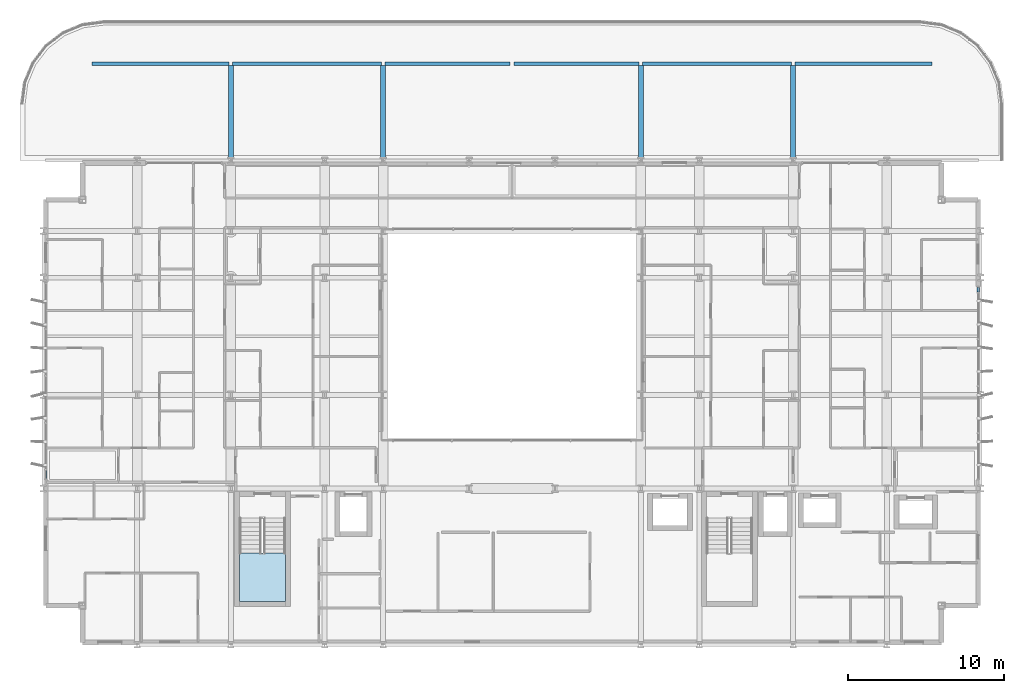
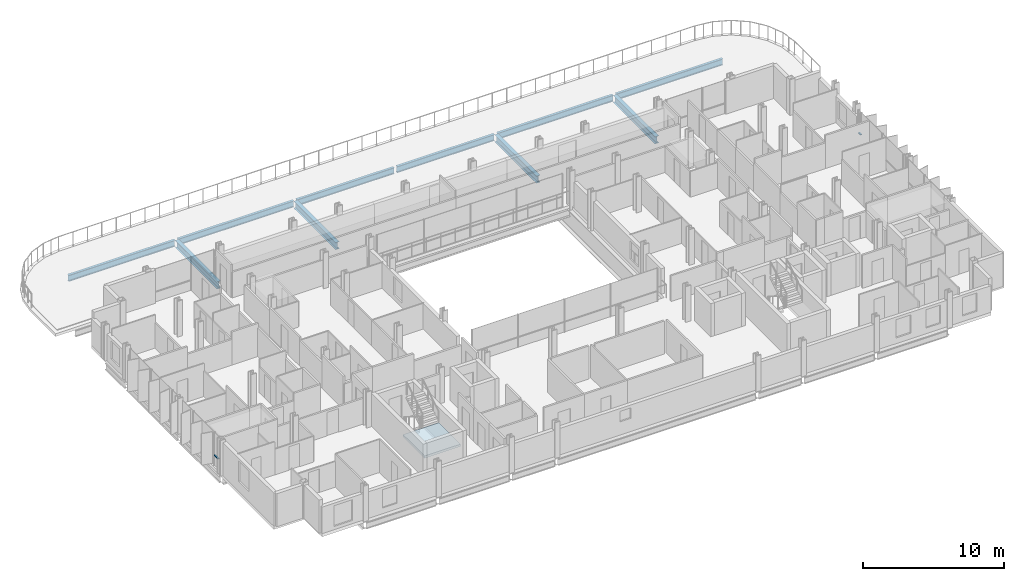
# One storey, part 21 of 38: 10 beams, 2 members, 1 slab, 3 elements without a shape of their own.
"""IFC4 building model written with IfcOpenShell, lengths in metres."""

import ifcopenshell
import ifcopenshell.guid

model = None  # the IFC model being written
_history = None  # IfcOwnerHistory: only IFC2X3 demands one
_inside = {}  # id of a spatial element -> (the spatial element, [elements in it])
_under = {}  # id of a project, library or spatial element -> (it, [spatial elements below it])
_declared = {}  # id of a project -> (the project, [libraries it declares])
_typed = {}  # id of a type object -> (the type object, [elements of that type])
_made_of = {}  # id of a material, layer set ... -> (it, [elements and type objects made of it])


def new_model(schema):
    """Start an empty IFC model of exactly this schema.

    Asked for "IFC4X3", IfcOpenShell would pick the latest addendum, in which some entities
    have other attributes; the version numbers below select the first issue.
    IFC2X3 requires an IfcOwnerHistory on every rooted entity: one is made here for all.
    """
    global model, _history
    if schema == "IFC4X3":
        model = ifcopenshell.file(schema_version=(4, 3, 0, 0))
    else:
        model = ifcopenshell.file(schema=schema)
    _inside.clear()
    _under.clear()
    _declared.clear()
    _typed.clear()
    _made_of.clear()
    _history = None
    if model.schema == "IFC2X3":
        org = make("IfcOrganization", Name="unknown")
        user = make(
            "IfcPersonAndOrganization",
            ThePerson=make("IfcPerson", FamilyName="unknown"),
            TheOrganization=org,
        )
        app = make(
            "IfcApplication",
            ApplicationDeveloper=org,
            Version="unknown",
            ApplicationFullName="unknown",
            ApplicationIdentifier="unknown",
        )
        _history = make(
            "IfcOwnerHistory",
            OwningUser=user,
            OwningApplication=app,
            ChangeAction="ADDED",
            CreationDate=0,
        )
    return model


def make(cls, **values):
    """One entity of the class cls with the attributes given. An attribute that is None is left unset."""
    return model.create_entity(
        cls, **{name: value for name, value in values.items() if value is not None}
    )


def rooted(cls, **values):
    """An entity with a GlobalId (a new one), such as an element, a storey or a relation."""
    return make(cls, GlobalId=ifcopenshell.guid.new(), OwnerHistory=_history, **values)


def si_unit(unit_type, name, prefix=None):
    """IfcSIUnit, for example si_unit("LENGTHUNIT", "METRE", prefix="MILLI")."""
    return make("IfcSIUnit", UnitType=unit_type, Prefix=prefix, Name=name)


def assignment(units):
    """IfcUnitAssignment: the units of a project."""
    return None if units is None else make("IfcUnitAssignment", Units=units)


def point(xyz):
    """IfcCartesianPoint."""
    return None if xyz is None else make("IfcCartesianPoint", Coordinates=xyz)


def direction(xyz):
    """IfcDirection."""
    return None if xyz is None else make("IfcDirection", DirectionRatios=xyz)


def frame(location, z_axis=None, x_axis=None):
    """IfcAxis2Placement3D, a coordinate frame: its origin and axes. An axis left out is left unset."""
    return make(
        "IfcAxis2Placement3D",
        Location=point(location),
        Axis=direction(z_axis),
        RefDirection=direction(x_axis),
    )


def frame_2d(location, x_axis=None):
    """IfcAxis2Placement2D, a coordinate frame in the plane: its origin and x axis."""
    return make(
        "IfcAxis2Placement2D", Location=point(location), RefDirection=direction(x_axis)
    )


def origin():
    """The frame at (0, 0, 0) with its axes left unset."""
    return frame((0.0, 0.0, 0.0))


def origin_2d():
    """The frame at (0, 0) in the plane with its x axis left unset."""
    return frame_2d((0.0, 0.0))


def place(relative_to, where):
    """IfcLocalPlacement: puts the frame where relative to a parent placement (None: the world)."""
    return make(
        "IfcLocalPlacement", PlacementRelTo=relative_to, RelativePlacement=where
    )


def context(
    kind, dimensions, precision=None, world=None, true_north=None, identifier=None
):
    """IfcGeometricRepresentationContext, for example the 3D "Model" context."""
    return make(
        "IfcGeometricRepresentationContext",
        ContextIdentifier=identifier,
        ContextType=kind,
        CoordinateSpaceDimension=dimensions,
        Precision=precision,
        WorldCoordinateSystem=world,
        TrueNorth=true_north,
    )


def subcontext(parent, identifier, kind, view, scale=None):
    """IfcGeometricRepresentationSubContext, for example "Body" below "Model"."""
    return make(
        "IfcGeometricRepresentationSubContext",
        ContextIdentifier=identifier,
        ContextType=kind,
        ParentContext=parent,
        TargetScale=scale,
        TargetView=view,
    )


def project(units=None, contexts=None):
    """IfcProject with its units and contexts."""
    return rooted(
        "IfcProject",
        Name="project",
        RepresentationContexts=contexts,
        UnitsInContext=assignment(units),
    )


def spatial(cls, under=None, at=None, **own):
    """A site, building, storey or space (cls), placed at a placement, below another one or the project."""
    s = rooted(cls, ObjectPlacement=at, **own)
    if under is not None:
        _under.setdefault(under.id(), (under, []))[1].append(s)
    return s


def polyline(points):
    """IfcPolyline through the points."""
    return make("IfcPolyline", Points=[point(p) for p in points])


def profile(cls, at=None, kind="AREA", **sizes):
    """A parametric profile (cls). Its sizes go by their IFC names, for example OverallWidth=200.0."""
    return make(cls, ProfileType=kind, Position=at, **sizes)


def hollow_rectangle(**sizes):
    """IfcRectangleHollowProfileDef."""
    return profile("IfcRectangleHollowProfileDef", **sizes)


def i_section(**sizes):
    """IfcIShapeProfileDef."""
    return profile("IfcIShapeProfileDef", **sizes)


def outline(outer, holes=None, kind="AREA"):
    """IfcArbitraryClosedProfileDef: a profile drawn as a closed curve; with holes, ...WithVoids."""
    if holes is None:
        return make("IfcArbitraryClosedProfileDef", ProfileType=kind, OuterCurve=outer)
    return make(
        "IfcArbitraryProfileDefWithVoids",
        ProfileType=kind,
        OuterCurve=outer,
        InnerCurves=holes,
    )


def extrude(swept, where, along, depth):
    """IfcExtrudedAreaSolid: the profile swept, set in the frame where, extruded along a direction by depth."""
    return make(
        "IfcExtrudedAreaSolid",
        SweptArea=swept,
        Position=where,
        ExtrudedDirection=direction(along),
        Depth=depth,
    )


def shape(context_of_items, identifier, shape_type, items):
    """IfcShapeRepresentation: the items that make up one representation, for example the "Body"."""
    return make(
        "IfcShapeRepresentation",
        ContextOfItems=context_of_items,
        RepresentationIdentifier=identifier,
        RepresentationType=shape_type,
        Items=items,
    )


def material(Name=None, Category=None):
    """IfcMaterial."""
    return make("IfcMaterial", Name=Name, Category=Category)


def layer(
    of_material, thickness, ventilated=None, Name=None, Category=None, Priority=None
):
    """IfcMaterialLayer: one layer of a wall or slab, of a material (None: an air gap)."""
    return make(
        "IfcMaterialLayer",
        Material=of_material,
        LayerThickness=thickness,
        IsVentilated=ventilated,
        Name=Name,
        Category=Category,
        Priority=Priority,
    )


def layer_set(layers, Name=None):
    """IfcMaterialLayerSet."""
    return make("IfcMaterialLayerSet", MaterialLayers=layers, LayerSetName=Name)


def material_profile(
    of_material, cross_section, Name=None, Category=None, Priority=None
):
    """IfcMaterialProfile: a cross section and its material."""
    return make(
        "IfcMaterialProfile",
        Name=Name,
        Material=of_material,
        Profile=cross_section,
        Priority=Priority,
        Category=Category,
    )


def profile_set(profiles, Name=None, composite=None):
    """IfcMaterialProfileSet."""
    return make(
        "IfcMaterialProfileSet",
        Name=Name,
        MaterialProfiles=profiles,
        CompositeProfile=composite,
    )


def made_of(thing, what):
    """Note that an element or type object is made of a material, layer set ...; save() writes the relation."""
    if what is not None:
        _made_of.setdefault(what.id(), (what, []))[1].append(thing)
    return thing


def type_object(cls, material=None, **own):
    """A type object (cls), such as IfcWallType, which elements share."""
    return made_of(rooted(cls, **own), material)


def element(
    cls,
    number,
    at=None,
    inside=None,
    cuts=None,
    type_object=None,
    material=None,
    context=None,
    identifier="Body",
    shape_type=None,
    held_by="IfcProductDefinitionShape",
    body=None,
    shapes=None,
    **own,
):
    """One element of the class cls, such as IfcWall. Its Tag is "e" and its number.

    at: its placement. inside: the storey or other place that contains it. cuts: it is an
    opening in that element (IfcRelVoidsElement). A single representation is given by context,
    identifier, shape_type and body (its items); several are given by shapes. held_by: the class
    of the entity that holds the representations. save() writes the other relations.
    """
    e = rooted(cls, Tag="e%d" % number, ObjectPlacement=at, **own)
    if body is not None:
        shapes = [shape(context, identifier, shape_type, body)]
    if shapes is not None:
        e.Representation = make(held_by, Representations=shapes)
    if inside is not None:
        _inside.setdefault(inside.id(), (inside, []))[1].append(e)
    if cuts is not None:
        rooted(
            "IfcRelVoidsElement", RelatingBuildingElement=cuts, RelatedOpeningElement=e
        )
    if type_object is not None:
        _typed.setdefault(type_object.id(), (type_object, []))[1].append(e)
    return made_of(e, material)


def aggregate(whole, parts):
    """IfcRelAggregates: a whole, such as a stair, and the parts it consists of."""
    return rooted("IfcRelAggregates", RelatingObject=whole, RelatedObjects=parts)


def save(model, path):
    """Write the relations noted so far, then the file.

    IfcRelAggregates (storeys below a building ...), IfcRelContainedInSpatialStructure (elements
    in a storey), IfcRelDefinesByType, IfcRelAssociatesMaterial and IfcRelDeclares: one each for
    every whole, place, type object, material and project.
    """
    for whole, parts in _under.values():
        aggregate(whole, parts)
    for where, things in _inside.values():
        rooted(
            "IfcRelContainedInSpatialStructure",
            RelatedElements=things,
            RelatingStructure=where,
        )
    for kind, things in _typed.values():
        rooted("IfcRelDefinesByType", RelatedObjects=things, RelatingType=kind)
    for what, things in _made_of.values():
        rooted("IfcRelAssociatesMaterial", RelatedObjects=things, RelatingMaterial=what)
    for by, libraries in _declared.values():
        rooted("IfcRelDeclares", RelatingContext=by, RelatedDefinitions=libraries)
    model.write(path)


model = new_model("IFC4")

# Units and contexts
model_context = context("Model", 3, precision=1e-05, world=origin(), true_north=direction((0.0, 1.0)))
body_context = subcontext(model_context, "Body", "Model", "MODEL_VIEW")
ifc_project = project(units=[si_unit("LENGTHUNIT", "METRE"), si_unit("AREAUNIT", "SQUARE_METRE"), si_unit("VOLUMEUNIT", "CUBIC_METRE"), si_unit("PLANEANGLEUNIT", "RADIAN"), si_unit("MASSUNIT", "GRAM", prefix="KILO")], contexts=[model_context])

# Site, building, storey
site_placement = place(None, origin())
site = spatial("IfcSite", under=ifc_project, at=site_placement, CompositionType="ELEMENT")
building_placement = place(site_placement, origin())
building = spatial("IfcBuilding", under=site, at=building_placement, Name="Brevholm Reach", CompositionType="ELEMENT")
storey_placement = place(building_placement, frame((0.0, 0.0, 28.0)))
storey = spatial("IfcBuildingStorey", under=building, at=storey_placement, Name="L06", CompositionType="ELEMENT", Elevation=28.0)

# Beams
ifc_material_1 = material(Name="Structural Steel S355J2", Category="steel")
ifc_material_profile_1 = material_profile(ifc_material_1, i_section(OverallWidth=0.210693359375, OverallDepth=0.53955078125, WebThickness=0.01171875, FlangeThickness=0.018798828125, FilletRadius=0.0126953125, at=origin_2d()), Name="UKB 533x210x109")
ifc_profile_set_1 = profile_set([ifc_material_profile_1], Name="Structural Steel S355J2")
beam_type_1 = type_object("IfcBeamType", Name="BM-SP539", PredefinedType="SPANDREL", material=ifc_profile_set_1)
beam_1_placement = place(storey_placement, frame((3.1201171875, 37.199951171875, -0.539794921875), z_axis=(1.0, 0.0, 0.0), x_axis=(0.0, 1.0, 0.0)))
element("IfcBeam", 1, at=beam_1_placement, inside=storey, type_object=beam_type_1, Name="L06 SP-01B Framing Beam", PredefinedType="SPANDREL", context=body_context, shape_type="SweptSolid", body=[
    extrude(i_section(OverallWidth=0.210693359375, OverallDepth=0.53955078125, WebThickness=0.01171875, FlangeThickness=0.018798828125, FilletRadius=0.0126953125, at=origin_2d()), origin(), (0.0, 0.0, 1.0), 8.759765625),
])
beam_2_placement = place(storey_placement, frame((12.1201171875, 37.199951171875, -0.539794921875), z_axis=(1.0, 0.0, 0.0), x_axis=(0.0, 1.0, 0.0)))
element("IfcBeam", 2, at=beam_2_placement, inside=storey, type_object=beam_type_1, Name="L06 SP-01B Framing Beam", PredefinedType="SPANDREL", context=body_context, shape_type="SweptSolid", body=[
    extrude(i_section(OverallWidth=0.210693359375, OverallDepth=0.53955078125, WebThickness=0.01171875, FlangeThickness=0.018798828125, FilletRadius=0.0126953125, at=origin_2d()), origin(), (0.0, 0.0, 1.0), 9.509765625),
])
for number, where, z_axis, x_axis, name in (
    (3, (21.8701171875, 37.199951171875, -0.539794921875), (1.0, 0.0, 0.0), (0.0, 1.0, 0.0), "L06 SP-01B Framing Beam"),
    (4, (30.1201171875, 37.199951171875, -0.539794921875), (1.0, 0.0, 0.0), (0.0, 1.0, 0.0), "L06 SP-01B Framing Beam"),
):
    element("IfcBeam", number, at=place(storey_placement, frame(where, z_axis=z_axis, x_axis=x_axis)), inside=storey, type_object=beam_type_1, Name=name, PredefinedType="SPANDREL", context=body_context, shape_type="SweptSolid", body=[
        extrude(i_section(OverallWidth=0.210693359375, OverallDepth=0.53955078125, WebThickness=0.01171875, FlangeThickness=0.018798828125, FilletRadius=0.0126953125, at=origin_2d()), origin(), (0.0, 0.0, 1.0), 8.009765625),
    ])
beam_3_placement = place(storey_placement, frame((38.3701171875, 37.199951171875, -0.539794921875), z_axis=(1.0, 0.0, 0.0), x_axis=(0.0, 1.0, 0.0)))
element("IfcBeam", 5, at=beam_3_placement, inside=storey, type_object=beam_type_1, Name="L06 SP-01B Framing Beam", PredefinedType="SPANDREL", context=body_context, shape_type="SweptSolid", body=[
    extrude(i_section(OverallWidth=0.210693359375, OverallDepth=0.53955078125, WebThickness=0.01171875, FlangeThickness=0.018798828125, FilletRadius=0.0126953125, at=origin_2d()), origin(), (0.0, 0.0, 1.0), 9.509765625),
])
beam_4_placement = place(storey_placement, frame((48.1201171875, 37.199951171875, -0.539794921875), z_axis=(1.0, 0.0, 0.0), x_axis=(0.0, 1.0, 0.0)))
element("IfcBeam", 6, at=beam_4_placement, inside=storey, type_object=beam_type_1, Name="L06 SP-01B Framing Beam", PredefinedType="SPANDREL", context=body_context, shape_type="SweptSolid", body=[
    extrude(i_section(OverallWidth=0.210693359375, OverallDepth=0.53955078125, WebThickness=0.01171875, FlangeThickness=0.018798828125, FilletRadius=0.0126953125, at=origin_2d()), origin(), (0.0, 0.0, 1.0), 8.759765625),
])
ifc_material_2 = material(Name="Structural Steel S355J2", Category="steel")
ifc_material_profile_2 = material_profile(ifc_material_2, i_section(OverallWidth=0.30712890625, OverallDepth=0.6201171875, WebThickness=0.01416015625, FlangeThickness=0.023681640625, FilletRadius=0.0166015625, at=origin_2d()), Name="UKB 610x305x179")
ifc_profile_set_2 = profile_set([ifc_material_profile_2], Name="Structural Steel S355J2")
beam_type_2 = type_object("IfcBeamType", Name="BM-UKB610H", PredefinedType="USERDEFINED", material=ifc_profile_set_2)
for number, where, z_axis, x_axis, name in (
    (7, (12.0, 31.1201171875, -0.580078125), (0.0, 1.0, 0.0), (-1.0, 0.0, 0.0), "L06 G-06 Framing Beam"),
    (8, (21.75, 31.1201171875, -0.580078125), (0.0, 1.0, 0.0), (-1.0, 0.0, 0.0), "L06 G-06 Framing Beam"),
    (9, (38.25, 31.1201171875, -0.580078125), (0.0, 1.0, 0.0), (-1.0, 0.0, 0.0), "L06 G-06 Framing Beam"),
    (10, (48.0, 31.1201171875, -0.580078125), (0.0, 1.0, 0.0), (-1.0, 0.0, 0.0), "L06 G-06 Framing Beam"),
):
    element("IfcBeam", number, at=place(storey_placement, frame(where, z_axis=z_axis, x_axis=x_axis)), inside=storey, type_object=beam_type_2, Name=name, ObjectType="GIRDER", PredefinedType="USERDEFINED", context=body_context, shape_type="SweptSolid", body=[
        extrude(i_section(OverallWidth=0.30712890625, OverallDepth=0.6201171875, WebThickness=0.01416015625, FlangeThickness=0.023681640625, FilletRadius=0.0166015625, at=origin_2d()), origin(), (0.0, 0.0, 1.0), 5.9599609375),
    ])

# Curtain wall, member
ifc_material_3 = material(Name="Dark Anodised Aluminium 6063-T6 and Solar-Control Glass", Category="aluminium")
ifc_layer_1 = layer(ifc_material_3, 0.14990234375)
ifc_layer_set_1 = layer_set([ifc_layer_1], Name="Dark Anodised Aluminium 6063-T6 and Solar-Control Glass")
curtain_wall_type = type_object("IfcCurtainWallType", Name="CW-01", PredefinedType="NOTDEFINED", material=ifc_layer_set_1)
curtain_wall_1_placement = place(storey_placement, origin())
curtain_wall_1 = element("IfcCurtainWall", 11, at=curtain_wall_1_placement, inside=storey, type_object=curtain_wall_type, Name="L06 Curtain Wall CW-01", PredefinedType="NOTDEFINED")
ifc_material_4 = material(Name="Dark Anodised Aluminium 6063-T6", Category="aluminium")
ifc_material_profile_3 = material_profile(ifc_material_4, hollow_rectangle(XDim=0.06494140625, YDim=0.14990234375, WallThickness=0.0048828125, InnerFilletRadius=0.0048828125, OuterFilletRadius=0.010009765625, at=origin_2d()), Name="RHS 150x65x5")
ifc_profile_set_3 = profile_set([ifc_material_profile_3], Name="Dark Anodised Aluminium 6063-T6")
member_type = type_object("IfcMemberType", Name="CWT-150", PredefinedType="NOTDEFINED", material=ifc_profile_set_3)
member_1_placement = place(storey_placement, frame((0.14990234375, 11.1875, 0.89990234375), z_axis=(0.0, -1.0, 0.0), x_axis=(0.0, 0.0, 1.0)))
member_1 = element("IfcMember", 12, at=member_1_placement, type_object=member_type, Name="CT-150 Transom 5.1", ObjectType="TRANSOM", PredefinedType="USERDEFINED", context=body_context, shape_type="SweptSolid", body=[
    extrude(hollow_rectangle(XDim=0.06494140625, YDim=0.14990234375, WallThickness=0.0048828125, InnerFilletRadius=0.0048828125, OuterFilletRadius=0.010009765625, at=origin_2d()), origin(), (0.0, 0.0, 1.0), 0.572509765625),
])
aggregate(curtain_wall_1, [member_1])

curtain_wall_2_placement = place(storey_placement, origin())
curtain_wall_2 = element("IfcCurtainWall", 13, at=curtain_wall_2_placement, inside=storey, type_object=curtain_wall_type, Name="L06 Curtain Wall CW-01", PredefinedType="NOTDEFINED")
member_2_placement = place(storey_placement, frame((59.85009765625, 22.58251953125, 0.89990234375), z_axis=(0.0, 1.0, 0.0), x_axis=(0.0, 0.0, 1.0)))
member_2 = element("IfcMember", 14, at=member_2_placement, type_object=member_type, Name="CT-150 Transom 5.1", ObjectType="TRANSOM", PredefinedType="USERDEFINED", context=body_context, shape_type="SweptSolid", body=[
    extrude(hollow_rectangle(XDim=0.06494140625, YDim=0.14990234375, WallThickness=0.0048828125, InnerFilletRadius=0.0048828125, OuterFilletRadius=0.010009765625, at=origin_2d()), origin(), (0.0, 0.0, 1.0), 0.302490234375),
])
aggregate(curtain_wall_2, [member_2])

# Stair, slab
ifc_material_5 = material(Name="Precast Concrete C40/50", Category="concrete")
stair_type = type_object("IfcStairType", Name="STR-ESC-1400", PredefinedType="DOUBLE_RETURN_STAIR", material=ifc_material_5)
stair_placement = place(storey_placement, origin())
stair = element("IfcStair", 15, at=stair_placement, inside=storey, type_object=stair_type, Name="L06 ST-1", PredefinedType="DOUBLE_RETURN_STAIR")
ifc_material_6 = material(Name="Concrete C40/50", Category="concrete")
ifc_layer_2 = layer(ifc_material_6, 0.199951171875)
ifc_layer_set_2 = layer_set([ifc_layer_2], Name="Concrete C40/50")
slab_type = type_object("IfcSlabType", Name="SLB-LND-200", PredefinedType="LANDING", material=ifc_layer_set_2)
slab_placement = place(storey_placement, frame((0.0, 0.0, 1.35009765625)))
slab = element("IfcSlab", 16, at=slab_placement, type_object=slab_type, Name="ST-1 landing 1", PredefinedType="LANDING", context=body_context, shape_type="SweptSolid", body=[
    extrude(outline(polyline([(12.550048828125, 5.860107421875), (12.550048828125, 2.780029296875), (15.5, 2.780029296875), (15.5, 5.860107421875), (12.550048828125, 5.860107421875)])), origin(), (0.0, 0.0, 1.0), 0.199951171875),
])
aggregate(stair, [slab])

save(model, "model.ifc")
